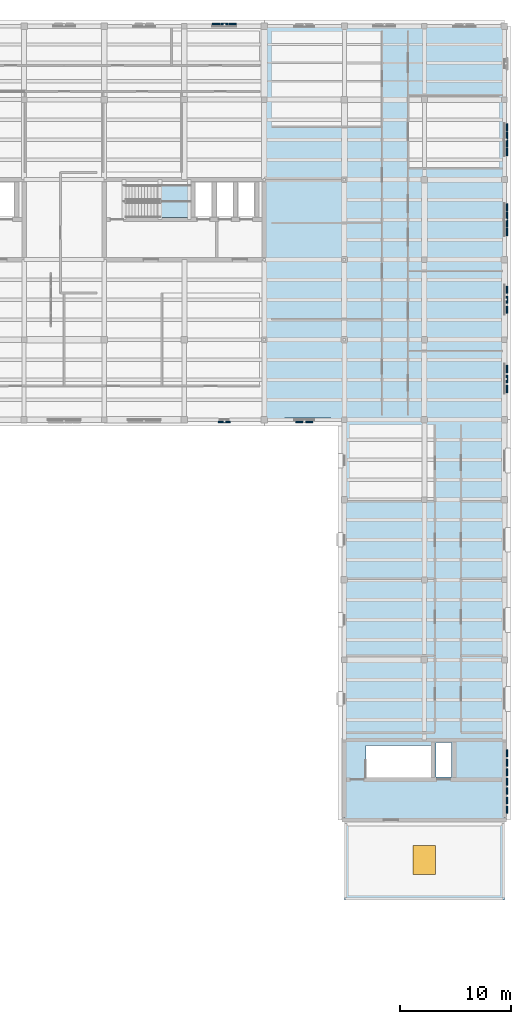
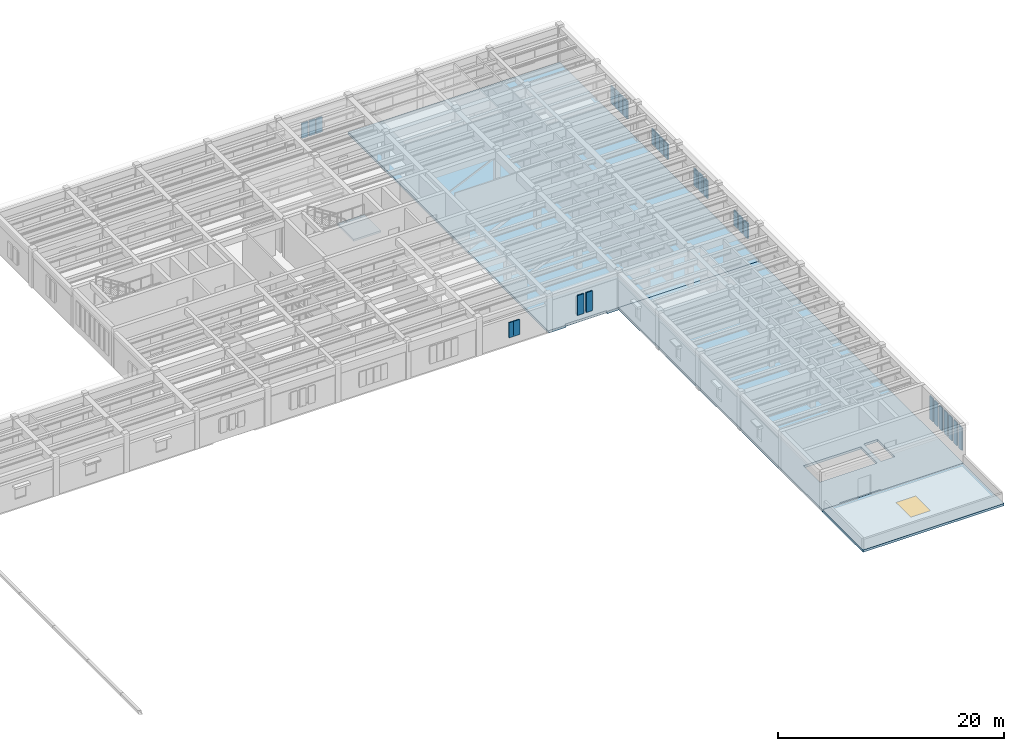
# One storey, part 9 of 27: 28 plates, 4 slabs, 1 window, 1 opening, 1 element without a shape of its own.
"""IFC4 building model written with IfcOpenShell, lengths in metres."""

from ifc_helpers import new_model, si_unit, direction, frame, origin, origin_2d, place, context, subcontext, project, spatial, polyline, rectangle, outline, extrude, material, layer, layer_set, type_object, element, fill, aggregate, save


model = new_model("IFC4")

# Units and contexts
model_context = context("Model", 3, precision=1e-05, world=origin(), true_north=direction((0.0, 1.0)))
body_context = subcontext(model_context, "Body", "Model", "MODEL_VIEW")
ifc_project = project(units=[si_unit("LENGTHUNIT", "METRE"), si_unit("AREAUNIT", "SQUARE_METRE"), si_unit("VOLUMEUNIT", "CUBIC_METRE"), si_unit("PLANEANGLEUNIT", "RADIAN"), si_unit("MASSUNIT", "GRAM", prefix="KILO")], contexts=[model_context])

# Site, building, storey
site_placement = place(None, origin())
site = spatial("IfcSite", under=ifc_project, at=site_placement, CompositionType="ELEMENT")
building_placement = place(site_placement, origin())
building = spatial("IfcBuilding", under=site, at=building_placement, Name="Mithqara Police Headquarters", CompositionType="ELEMENT")
storey_placement = place(building_placement, frame((0.0, 0.0, 18.0)))
storey = spatial("IfcBuildingStorey", under=building, at=storey_placement, Name="L04", CompositionType="ELEMENT", Elevation=18.0)

# Slabs
ifc_material_1 = material(Name="Concrete C40/50", Category="concrete")
ifc_layer_1 = layer(ifc_material_1, 0.260009765625, Name="Concrete C40/50")
ifc_layer_set_1 = layer_set([ifc_layer_1], Name="Concrete C40/50")
slab_type_1 = type_object("IfcSlabType", Name="FLOOR SLAB 260", PredefinedType="FLOOR", material=ifc_layer_set_1)
slab_1_placement = place(storey_placement, frame((0.0, 0.0, -0.260009765625)))
element("IfcSlab", 1, at=slab_1_placement, inside=storey, type_object=slab_type_1, Name="L04 Structural Slab L04-V1B", PredefinedType="FLOOR", context=body_context, shape_type="SweptSolid", body=[
    extrude(outline(polyline([(166.199951171875, 78.60009765625), (150.60009765625, 78.60009765625), (150.60009765625, 78.739990234375), (146.39990234375, 78.739990234375), (146.39990234375, 78.60009765625), (144.60009765625, 78.60009765625), (144.60009765625, 114.0), (166.199951171875, 114.0), (166.199951171875, 78.60009765625)])), origin(), (0.0, 0.0, 1.0), 0.260009765625),
])
slab_2_placement = place(storey_placement, frame((0.0, 0.0, -0.260009765625)))
element("IfcSlab", 2, at=slab_2_placement, inside=storey, type_object=slab_type_1, Name="L04 Structural Slab L04-V6E", PredefinedType="FLOOR", context=body_context, shape_type="SweptSolid", body=[
    extrude(outline(polyline([(157.800048828125, 42.60009765625), (157.800048828125, 42.739990234375), (153.60009765625, 42.739990234375), (153.60009765625, 42.60009765625), (151.800048828125, 42.60009765625), (151.800048828125, 78.60009765625), (166.199951171875, 78.60009765625), (166.199951171875, 42.60009765625), (157.800048828125, 42.60009765625)]), holes=[polyline([(153.75, 46.39990234375), (159.60009765625, 46.39990234375), (159.60009765625, 49.300048828125), (153.75, 49.300048828125), (153.75, 46.39990234375)]), polyline([(161.449951171875, 46.469970703125), (161.449951171875, 49.550048828125), (160.030029296875, 49.550048828125), (160.030029296875, 46.469970703125), (161.449951171875, 46.469970703125)])]), origin(), (0.0, 0.0, 1.0), 0.260009765625),
])

# Slab, opening, window
ifc_layer_2 = layer(ifc_material_1, 0.25, Name="Concrete C40/50")
ifc_layer_set_2 = layer_set([ifc_layer_2], Name="Concrete C40/50")
slab_type_2 = type_object("IfcSlabType", Name="ROOF SLAB 250", PredefinedType="ROOF", material=ifc_layer_set_2)
slab_3_placement = place(storey_placement, frame((0.0, 0.0, -0.25)))
slab_3 = element("IfcSlab", 3, at=slab_3_placement, inside=storey, type_object=slab_type_2, Name="L04 Flat Insulated Roof over L03 Wing 2", PredefinedType="ROOF", context=body_context, shape_type="SweptSolid", body=[
    extrude(outline(polyline([(166.199951171875, 35.39990234375), (151.800048828125, 35.39990234375), (151.800048828125, 42.580078125), (153.60009765625, 42.580078125), (153.60205078125, 42.580078125), (153.60400390625, 42.580322265625), (153.605712890625, 42.580810546875), (153.607666015625, 42.58154296875), (153.609375, 42.58251953125), (153.611083984375, 42.58349609375), (153.61279296875, 42.58447265625), (153.614013671875, 42.5859375), (153.615478515625, 42.58740234375), (153.61669921875, 42.5888671875), (153.61767578125, 42.590576171875), (153.618408203125, 42.59228515625), (153.619140625, 42.59423828125), (153.61962890625, 42.59619140625), (153.619873046875, 42.597900390625), (153.6201171875, 42.60009765625), (157.780029296875, 42.60009765625), (157.780029296875, 42.597900390625), (157.780517578125, 42.59619140625), (157.781005859375, 42.59423828125), (157.781494140625, 42.59228515625), (157.782470703125, 42.590576171875), (157.783447265625, 42.5888671875), (157.784423828125, 42.58740234375), (157.785888671875, 42.5859375), (157.787353515625, 42.58447265625), (157.788818359375, 42.58349609375), (157.79052734375, 42.58251953125), (157.792236328125, 42.58154296875), (157.794189453125, 42.580810546875), (157.796142578125, 42.580322265625), (157.798095703125, 42.580078125), (157.800048828125, 42.580078125), (166.199951171875, 42.580078125), (166.199951171875, 35.39990234375)]), holes=[polyline([(158.0, 37.68994140625), (160.0, 37.68994140625), (160.0, 40.2900390625), (158.0, 40.2900390625), (158.0, 37.68994140625)])]), origin(), (0.0, 0.0, 1.0), 0.25),
])
opening_placement = place(slab_3_placement, frame((159.0, 38.989990234375, -0.010009765625)))
opening = element("IfcOpeningElement", 4, at=opening_placement, cuts=slab_3, Name="Opening SK-04", PredefinedType="OPENING", context=body_context, shape_type="SweptSolid", body=[
    extrude(rectangle(XDim=2.0, YDim=2.60009765625, at=origin_2d()), origin(), (0.0, 0.0, 1.0), 0.27001953125),
])
ifc_material_2 = material(Name="Spectrally selective double low-e glass", Category="glass")
window_type = type_object("IfcWindowType", Name="SKYLIGHT 2000X2600", PartitioningType="SINGLE_PANEL", PredefinedType="SKYLIGHT", material=ifc_material_2)
window_placement = place(opening_placement, frame((0.0, 0.0, 0.2099609375)))
window = element("IfcWindow", 5, at=window_placement, inside=storey, type_object=window_type, Name="L04 Roof Daylight Skylight and Access Hatch 8", OverallHeight=2.60009765625, OverallWidth=2.0, PartitioningType="SINGLE_PANEL", PredefinedType="SKYLIGHT", context=body_context, shape_type="SweptSolid", body=[
    extrude(rectangle(XDim=2.0, YDim=2.60009765625, at=origin_2d()), origin(), (0.0, 0.0, 1.0), 0.050048828125),
])
fill(opening, window)

# Stair, slab
stair_type = type_object("IfcStairType", Name="STAIR ST 02-R24", PredefinedType="HALF_TURN_STAIR", material=ifc_material_1)
stair_placement = place(storey_placement, origin())
stair = element("IfcStair", 6, at=stair_placement, inside=storey, type_object=stair_type, Name="L04 Core C2 Command East Exit Stair", PredefinedType="HALF_TURN_STAIR")
ifc_layer_3 = layer(ifc_material_1, 0.199951171875, Name="Concrete C40/50")
ifc_layer_set_3 = layer_set([ifc_layer_3], Name="Concrete C40/50")
slab_type_3 = type_object("IfcSlabType", Name="STAIR LANDING 200", PredefinedType="LANDING", material=ifc_layer_set_3)
slab_4_placement = place(storey_placement, frame((0.0, 0.0, 1.89990234375)))
slab_4 = element("IfcSlab", 7, at=slab_4_placement, type_object=slab_type_3, Name="ST-02 landing 1", PredefinedType="LANDING", context=body_context, shape_type="SweptSolid", body=[
    extrude(outline(polyline([(135.22998046875, 96.800048828125), (138.0, 96.800048828125), (138.0, 99.699951171875), (135.22998046875, 99.699951171875), (135.22998046875, 96.800048828125)])), origin(), (0.0, 0.0, 1.0), 0.2001953125),
])
aggregate(stair, [slab_4])

# Plates
ifc_material_3 = material(Name="Limestone ashlar masonry, 45 MPa", Category="masonry")
ifc_layer_4 = layer(ifc_material_3, 0.10009765625, Name="Limestone ashlar masonry, 45 MPa")
ifc_layer_set_4 = layer_set([ifc_layer_4], Name="Limestone ashlar masonry, 45 MPa")
plate_type_1 = type_object("IfcPlateType", Name="STONE SCREEN 100", PredefinedType="USERDEFINED", material=ifc_layer_set_4)
for number, where, z_axis, x_axis, name in (
    (8, (141.7333984375, 114.199951171875, 0.830078125), (0.0, 0.0, 1.0), (1.0, 0.0, 0.0), "L04 Pierced Limestone Vertical-Slit Panel 191"),
    (9, (141.0, 114.199951171875, 0.830078125), (0.0, 0.0, 1.0), (1.0, 0.0, 0.0), "L04 Pierced Limestone Vertical-Slit Panel 192"),
    (10, (140.2666015625, 114.199951171875, 0.830078125), (0.0, 0.0, 1.0), (1.0, 0.0, 0.0), "L04 Pierced Limestone Vertical-Slit Panel 193"),
    (11, (140.78759765625, 78.39990234375, 0.830078125), (0.0, 0.0, 1.0), (1.0, 0.0, 0.0), "L04 Pierced Limestone Vertical-Slit Panel 214"),
    (12, (141.21240234375, 78.39990234375, 0.830078125), (0.0, 0.0, 1.0), (1.0, 0.0, 0.0), "L04 Pierced Limestone Vertical-Slit Panel 215"),
):
    element("IfcPlate", number, at=place(storey_placement, frame(where, z_axis=z_axis, x_axis=x_axis)), inside=storey, type_object=plate_type_1, Name=name, ObjectType="STONE SCREEN", PredefinedType="USERDEFINED", context=body_context, shape_type="SweptSolid", body=[
        extrude(rectangle(XDim=0.656005859375, YDim=0.10009765625, at=origin_2d()), origin(), (0.0, 0.0, 1.0), 1.639892578125),
    ])
for number, where, z_axis, x_axis, name in (
    (13, (166.43505859375, 43.5, 0.89990234375), (0.0, 0.0, 1.0), (0.0, 1.0, 0.0), "L04 Core C4 Pierced Vertical-Slit Screen 1"),
    (14, (166.43505859375, 44.35009765625, 0.89990234375), (0.0, 0.0, 1.0), (0.0, 1.0, 0.0), "L04 Core C4 Pierced Vertical-Slit Screen 2"),
    (15, (166.43505859375, 45.199951171875, 0.89990234375), (0.0, 0.0, 1.0), (0.0, 1.0, 0.0), "L04 Core C4 Pierced Vertical-Slit Screen 3"),
    (16, (166.43505859375, 46.050048828125, 0.89990234375), (0.0, 0.0, 1.0), (0.0, 1.0, 0.0), "L04 Core C4 Pierced Vertical-Slit Screen 4"),
    (17, (166.43505859375, 46.89990234375, 0.89990234375), (0.0, 0.0, 1.0), (0.0, 1.0, 0.0), "L04 Core C4 Pierced Vertical-Slit Screen 5"),
    (18, (166.43505859375, 47.75, 0.89990234375), (0.0, 0.0, 1.0), (0.0, 1.0, 0.0), "L04 Core C4 Pierced Vertical-Slit Screen 6"),
    (19, (166.43505859375, 48.60009765625, 0.89990234375), (0.0, 0.0, 1.0), (0.0, 1.0, 0.0), "L04 Core C4 Pierced Vertical-Slit Screen 7"),
):
    element("IfcPlate", number, at=place(storey_placement, frame(where, z_axis=z_axis, x_axis=x_axis)), inside=storey, type_object=plate_type_1, Name=name, ObjectType="STONE SCREEN", PredefinedType="USERDEFINED", context=body_context, shape_type="SweptSolid", body=[
        extrude(rectangle(XDim=0.6201171875, YDim=0.10009765625, at=origin_2d()), origin(), (0.0, 0.0, 1.0), 2.5),
    ])
ifc_layer_5 = layer(ifc_material_3, 0.1201171875, Name="Limestone ashlar masonry, 45 MPa")
ifc_layer_set_5 = layer_set([ifc_layer_5], Name="Limestone ashlar masonry, 45 MPa")
plate_type_2 = type_object("IfcPlateType", Name="STONE SCREEN 120", PredefinedType="USERDEFINED", material=ifc_layer_set_5)
for number, where, z_axis, x_axis, name in (
    (20, (147.75, 78.389892578125, 0.830078125), (0.0, 0.0, 1.0), (1.0, 0.0, 0.0), "L04 Pierced Limestone Vertical-Slit Panel 216"),
    (21, (148.64990234375, 78.389892578125, 0.830078125), (0.0, 0.0, 1.0), (1.0, 0.0, 0.0), "L04 Pierced Limestone Vertical-Slit Panel 217"),
):
    element("IfcPlate", number, at=place(storey_placement, frame(where, z_axis=z_axis, x_axis=x_axis)), inside=storey, type_object=plate_type_2, Name=name, ObjectType="STONE SCREEN", PredefinedType="USERDEFINED", context=body_context, shape_type="SweptSolid", body=[
        extrude(rectangle(XDim=0.656005859375, YDim=0.1201171875, at=origin_2d()), origin(), (0.0, 0.0, 1.0), 2.139892578125),
    ])
ifc_layer_6 = layer(ifc_material_3, 0.139892578125, Name="Limestone ashlar masonry, 45 MPa")
ifc_layer_set_6 = layer_set([ifc_layer_6], Name="Limestone ashlar masonry, 45 MPa")
plate_type_3 = type_object("IfcPlateType", Name="STONE SCREEN 140", PredefinedType="USERDEFINED", material=ifc_layer_set_6)
for number, where, z_axis, x_axis, name in (
    (22, (166.419921875, 81.375, 0.830078125), (0.0, 0.0, 1.0), (0.0, 1.0, 0.0), "L04 Pierced Limestone Vertical-Slit Panel 161"),
    (23, (166.419921875, 82.27490234375, 0.830078125), (0.0, 0.0, 1.0), (0.0, 1.0, 0.0), "L04 Pierced Limestone Vertical-Slit Panel 162"),
    (24, (166.419921875, 83.175048828125, 0.830078125), (0.0, 0.0, 1.0), (0.0, 1.0, 0.0), "L04 Pierced Limestone Vertical-Slit Panel 163"),
):
    element("IfcPlate", number, at=place(storey_placement, frame(where, z_axis=z_axis, x_axis=x_axis)), inside=storey, type_object=plate_type_3, Name=name, ObjectType="STONE SCREEN", PredefinedType="USERDEFINED", context=body_context, shape_type="SweptSolid", body=[
        extrude(rectangle(XDim=0.656005859375, YDim=0.139892578125, at=origin_2d()), origin(), (0.0, 0.0, 1.0), 1.639892578125),
    ])
for number, where, z_axis, x_axis, name in (
    (25, (166.419921875, 88.5, 0.830078125), (0.0, 0.0, 1.0), (0.0, 1.0, 0.0), "L04 Pierced Limestone Vertical-Slit Panel 164"),
    (26, (166.419921875, 89.39990234375, 0.830078125), (0.0, 0.0, 1.0), (0.0, 1.0, 0.0), "L04 Pierced Limestone Vertical-Slit Panel 165"),
    (27, (166.419921875, 90.300048828125, 0.830078125), (0.0, 0.0, 1.0), (0.0, 1.0, 0.0), "L04 Pierced Limestone Vertical-Slit Panel 166"),
):
    element("IfcPlate", number, at=place(storey_placement, frame(where, z_axis=z_axis, x_axis=x_axis)), inside=storey, type_object=plate_type_3, Name=name, ObjectType="STONE SCREEN", PredefinedType="USERDEFINED", context=body_context, shape_type="SweptSolid", body=[
        extrude(rectangle(XDim=0.656005859375, YDim=0.139892578125, at=origin_2d()), origin(), (0.0, 0.0, 1.0), 1.889892578125),
    ])
for number, where, z_axis, x_axis, name in (
    (28, (166.419921875, 95.493896484375, 0.830078125), (0.0, 0.0, 1.0), (0.0, 1.0, 0.0), "L04 Pierced Limestone Vertical-Slit Panel 167"),
    (29, (166.419921875, 96.231201171875, 0.830078125), (0.0, 0.0, 1.0), (0.0, 1.0, 0.0), "L04 Pierced Limestone Vertical-Slit Panel 168"),
    (30, (166.419921875, 96.96875, 0.830078125), (0.0, 0.0, 1.0), (0.0, 1.0, 0.0), "L04 Pierced Limestone Vertical-Slit Panel 169"),
    (31, (166.419921875, 97.706298828125, 0.830078125), (0.0, 0.0, 1.0), (0.0, 1.0, 0.0), "L04 Pierced Limestone Vertical-Slit Panel 170"),
):
    element("IfcPlate", number, at=place(storey_placement, frame(where, z_axis=z_axis, x_axis=x_axis)), inside=storey, type_object=plate_type_3, Name=name, ObjectType="STONE SCREEN", PredefinedType="USERDEFINED", context=body_context, shape_type="SweptSolid", body=[
        extrude(rectangle(XDim=0.656005859375, YDim=0.139892578125, at=origin_2d()), origin(), (0.0, 0.0, 1.0), 1.639892578125),
    ])
for number, where, z_axis, x_axis, name in (
    (32, (166.419921875, 102.693603515625, 0.830078125), (0.0, 0.0, 1.0), (0.0, 1.0, 0.0), "L04 Pierced Limestone Vertical-Slit Panel 171"),
    (33, (166.419921875, 103.431396484375, 0.830078125), (0.0, 0.0, 1.0), (0.0, 1.0, 0.0), "L04 Pierced Limestone Vertical-Slit Panel 172"),
    (34, (166.419921875, 104.168701171875, 0.830078125), (0.0, 0.0, 1.0), (0.0, 1.0, 0.0), "L04 Pierced Limestone Vertical-Slit Panel 173"),
    (35, (166.419921875, 104.90625, 0.830078125), (0.0, 0.0, 1.0), (0.0, 1.0, 0.0), "L04 Pierced Limestone Vertical-Slit Panel 174"),
):
    element("IfcPlate", number, at=place(storey_placement, frame(where, z_axis=z_axis, x_axis=x_axis)), inside=storey, type_object=plate_type_3, Name=name, ObjectType="STONE SCREEN", PredefinedType="USERDEFINED", context=body_context, shape_type="SweptSolid", body=[
        extrude(rectangle(XDim=0.656005859375, YDim=0.139892578125, at=origin_2d()), origin(), (0.0, 0.0, 1.0), 1.889892578125),
    ])

save(model, "model.ifc")
